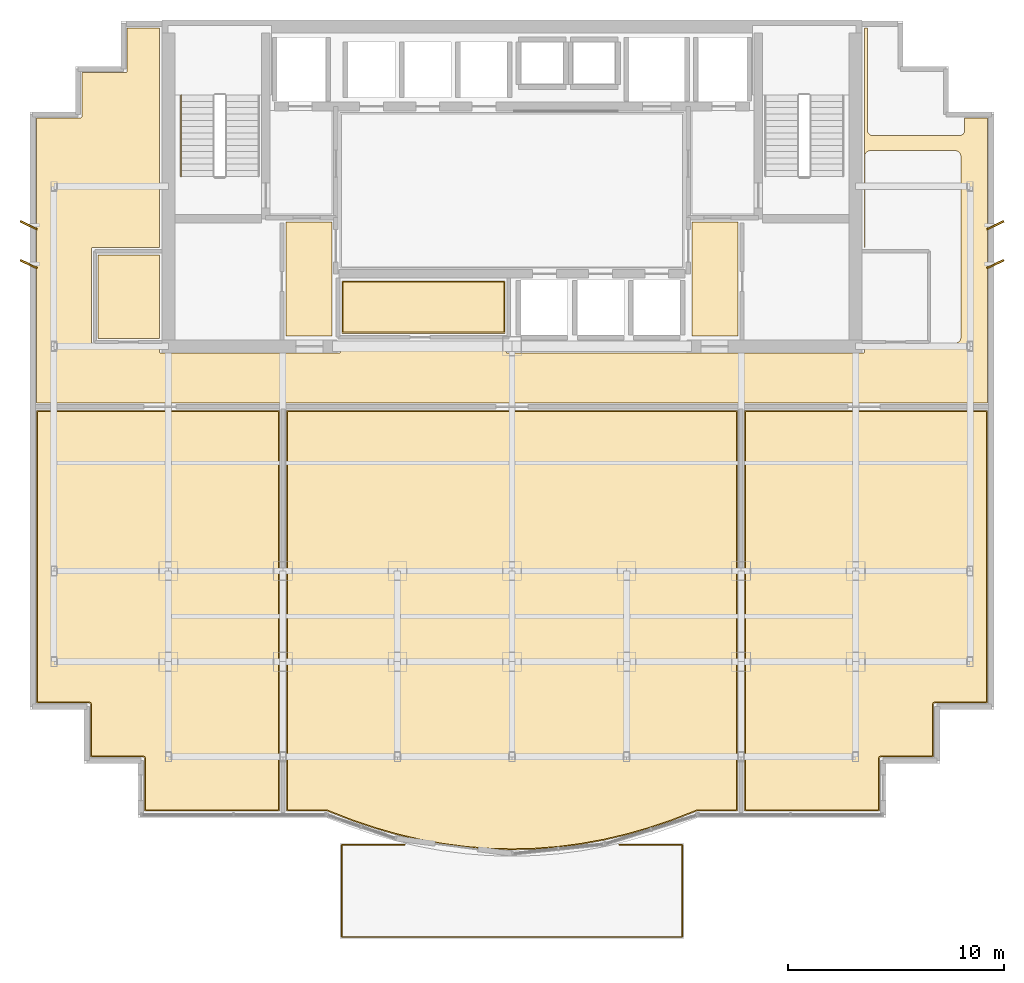
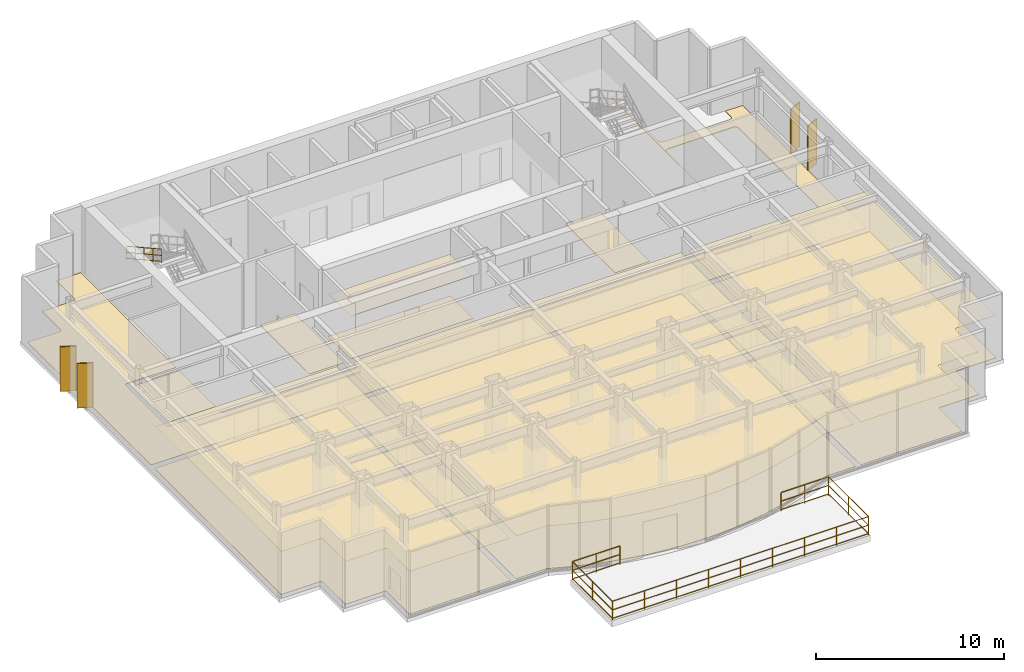
# One storey, part 8 of 9: 12 coverings, 4 shading devices, 2 railings.
"""IFC4 building model written with IfcOpenShell, lengths in metres."""

from ifc_helpers import new_model, si_unit, direction, frame, origin, origin_2d, place, context, subcontext, project, spatial, polyline, rectangle, circle, outline, extrude, source, transform, mapped, material, layer, layer_set, type_object, element, save


model = new_model("IFC4")

# Units and contexts
model_context = context("Model", 3, precision=1e-05, world=origin(), true_north=direction((0.0, 1.0)))
body_context = subcontext(model_context, "Body", "Model", "MODEL_VIEW")
ifc_project = project(units=[si_unit("LENGTHUNIT", "METRE"), si_unit("AREAUNIT", "SQUARE_METRE"), si_unit("VOLUMEUNIT", "CUBIC_METRE"), si_unit("PLANEANGLEUNIT", "RADIAN"), si_unit("MASSUNIT", "GRAM", prefix="KILO")], contexts=[model_context])

# Site, building, storey
site_placement = place(None, origin())
site = spatial("IfcSite", under=ifc_project, at=site_placement, CompositionType="ELEMENT")
building_placement = place(site_placement, origin())
building = spatial("IfcBuilding", under=site, at=building_placement, Name="Qianlan Lanfeng Residences", CompositionType="ELEMENT")
storey_placement = place(building_placement, frame((0.0, 0.0, 134.699951171875)))
storey = spatial("IfcBuildingStorey", under=building, at=storey_placement, Name="L36", CompositionType="ELEMENT", Elevation=134.699951171875)

# Coverings
ifc_material_1 = material(Name="Acoustic Perforated Gypsum Ceiling Board")
ifc_layer_1 = layer(ifc_material_1, 0.02001953125)
ifc_layer_set_1 = layer_set([ifc_layer_1], Name="Acoustic Perforated Gypsum Ceiling Board")
covering_type_1 = type_object("IfcCoveringType", Name="CLG-GYP-15", PredefinedType="CEILING", material=ifc_layer_set_1)
covering_1_placement = place(storey_placement, frame((0.0, 0.0, 2.75)))
element("IfcCovering", 1, at=covering_1_placement, inside=storey, type_object=covering_type_1, Name="L36 Resident Reading Lounge Suspended Ceiling", PredefinedType="CEILING", context=body_context, shape_type="SweptSolid", body=[
    extrude(outline(polyline([(18.679931640625, 25.85009765625), (26.1201171875, 25.85009765625), (26.1201171875, 28.179931640625), (18.679931640625, 28.179931640625), (18.679931640625, 25.85009765625)])), origin(), (0.0, 0.0, 1.0), 0.02001953125),
])
covering_2_placement = place(storey_placement, frame((0.0, 0.0, 2.75)))
element("IfcCovering", 2, at=covering_2_placement, inside=storey, type_object=covering_type_1, Name="L36 Poolside Changing and Shower Room Suspended Ceiling", PredefinedType="CEILING", context=body_context, shape_type="SweptSolid", body=[
    extrude(outline(polyline([(15.68994140625, 22.169921875), (4.5400390625, 22.169921875), (4.5400390625, 8.739990234375), (6.919921875, 8.739990234375), (6.931884765625, 8.739013671875), (6.943115234375, 8.738037109375), (6.955078125, 8.735107421875), (6.966064453125, 8.73095703125), (6.97705078125, 8.72607421875), (6.987060546875, 8.719970703125), (6.99609375, 8.712890625), (7.0048828125, 8.705078125), (7.012939453125, 8.696044921875), (7.02001953125, 8.68701171875), (7.02587890625, 8.677001953125), (7.031005859375, 8.666015625), (7.034912109375, 8.655029296875), (7.0380859375, 8.64306640625), (7.0390625, 8.632080078125), (7.0400390625, 8.6201171875), (7.0400390625, 6.239990234375), (9.419921875, 6.239990234375), (9.431884765625, 6.239013671875), (9.443115234375, 6.238037109375), (9.455078125, 6.235107421875), (9.466064453125, 6.23095703125), (9.47705078125, 6.22607421875), (9.487060546875, 6.219970703125), (9.49609375, 6.212890625), (9.5048828125, 6.205078125), (9.512939453125, 6.196044921875), (9.52001953125, 6.18701171875), (9.52587890625, 6.177001953125), (9.531005859375, 6.166015625), (9.534912109375, 6.155029296875), (9.5380859375, 6.14306640625), (9.5390625, 6.132080078125), (9.5400390625, 6.1201171875), (9.5400390625, 3.739990234375), (15.68994140625, 3.739990234375), (15.68994140625, 22.169921875)])), origin(), (0.0, 0.0, 1.0), 0.02001953125),
])
covering_3_placement = place(storey_placement, frame((0.0, 0.0, 2.75)))
element("IfcCovering", 3, at=covering_3_placement, inside=storey, type_object=covering_type_1, Name="L36 Sky Pool Lounge Suspended Ceiling", PredefinedType="CEILING", context=body_context, shape_type="SweptSolid", body=[
    extrude(outline(polyline([(16.110107421875, 22.169921875), (16.110107421875, 3.739990234375), (17.922119140625, 3.739990234375), (17.93310546875, 3.739013671875), (17.944091796875, 3.738037109375), (17.955078125, 3.735107421875), (17.965087890625, 3.73193359375), (19.073974609375, 3.297119140625), (20.136962890625, 2.93701171875), (21.197998046875, 2.632080078125), (22.259033203125, 2.383056640625), (23.320068359375, 2.18896484375), (24.3798828125, 2.051025390625), (25.43994140625, 1.968017578125), (26.5, 1.93994140625), (27.56005859375, 1.968017578125), (28.6201171875, 2.050048828125), (29.678955078125, 2.18896484375), (30.740966796875, 2.383056640625), (31.801025390625, 2.632080078125), (32.863037109375, 2.93701171875), (33.925048828125, 3.297119140625), (35.034912109375, 3.73193359375), (35.044921875, 3.735107421875), (35.055908203125, 3.738037109375), (35.06689453125, 3.739013671875), (35.077880859375, 3.739990234375), (36.889892578125, 3.739990234375), (36.889892578125, 22.169921875), (16.110107421875, 22.169921875)])), origin(), (0.0, 0.0, 1.0), 0.02001953125),
])
covering_4_placement = place(storey_placement, frame((0.0, 0.0, 2.75)))
element("IfcCovering", 4, at=covering_4_placement, inside=storey, type_object=covering_type_1, Name="L36 Fitness Gymnasium Suspended Ceiling", PredefinedType="CEILING", context=body_context, shape_type="SweptSolid", body=[
    extrude(outline(polyline([(37.31005859375, 22.169921875), (37.31005859375, 3.739990234375), (43.4599609375, 3.739990234375), (43.4599609375, 6.1201171875), (43.4609375, 6.132080078125), (43.4619140625, 6.14306640625), (43.465087890625, 6.155029296875), (43.468994140625, 6.166015625), (43.47412109375, 6.177001953125), (43.47998046875, 6.18701171875), (43.487060546875, 6.196044921875), (43.4951171875, 6.205078125), (43.50390625, 6.212890625), (43.512939453125, 6.219970703125), (43.52294921875, 6.22607421875), (43.533935546875, 6.23095703125), (43.544921875, 6.235107421875), (43.556884765625, 6.238037109375), (43.568115234375, 6.239013671875), (43.580078125, 6.239990234375), (45.9599609375, 6.239990234375), (45.9599609375, 8.6201171875), (45.9609375, 8.632080078125), (45.9619140625, 8.64306640625), (45.965087890625, 8.655029296875), (45.968994140625, 8.666015625), (45.97412109375, 8.677001953125), (45.97998046875, 8.68701171875), (45.987060546875, 8.696044921875), (45.9951171875, 8.705078125), (46.00390625, 8.712890625), (46.012939453125, 8.719970703125), (46.02294921875, 8.72607421875), (46.033935546875, 8.73095703125), (46.044921875, 8.735107421875), (46.056884765625, 8.738037109375), (46.068115234375, 8.739013671875), (46.080078125, 8.739990234375), (48.4599609375, 8.739990234375), (48.4599609375, 22.169921875), (37.31005859375, 22.169921875)])), origin(), (0.0, 0.0, 1.0), 0.02001953125),
])
ifc_material_2 = material(Name="Honed Taitung Granite Stone Flooring", Category="masonry")
ifc_layer_2 = layer(ifc_material_2, 0.030029296875)
ifc_layer_set_2 = layer_set([ifc_layer_2], Name="Honed Taitung Granite Stone Flooring")
covering_type_2 = type_object("IfcCoveringType", Name="FLR-STN-30", PredefinedType="FLOORING", material=ifc_layer_set_2)
covering_5_placement = place(storey_placement, origin())
element("IfcCovering", 5, at=covering_5_placement, inside=storey, type_object=covering_type_2, Name="L36 Sky Pool Lounge Floor Finish", PredefinedType="FLOORING", context=body_context, shape_type="SweptSolid", body=[
    extrude(outline(polyline([(16.06005859375, 22.219970703125), (16.06005859375, 3.68994140625), (17.922119140625, 3.68994140625), (17.927978515625, 3.68994140625), (17.93505859375, 3.68896484375), (17.94091796875, 3.68701171875), (17.947021484375, 3.68505859375), (19.056884765625, 3.25), (20.1220703125, 2.888916015625), (21.18505859375, 2.583984375), (22.2490234375, 2.333984375), (23.31201171875, 2.139892578125), (24.375, 2.001953125), (25.43701171875, 1.91796875), (26.5, 1.889892578125), (27.56298828125, 1.91796875), (28.625, 2.0009765625), (29.68701171875, 2.139892578125), (30.7509765625, 2.333984375), (31.81396484375, 2.583984375), (32.8779296875, 2.888916015625), (33.94189453125, 3.25), (35.052978515625, 3.68505859375), (35.05908203125, 3.68701171875), (35.06494140625, 3.68896484375), (35.072021484375, 3.68994140625), (35.077880859375, 3.68994140625), (36.93994140625, 3.68994140625), (36.93994140625, 22.219970703125), (16.06005859375, 22.219970703125)])), origin(), (0.0, 0.0, 1.0), 0.030029296875),
])
covering_6_placement = place(storey_placement, origin())
element("IfcCovering", 6, at=covering_6_placement, inside=storey, type_object=covering_type_2, Name="L36 Sky Transfer Lobby Floor Finish", PredefinedType="FLOORING", context=body_context, shape_type="SweptSolid", body=[
    extrude(outline(polyline([(47.449951171875, 35.760009765625), (47.449951171875, 35.199951171875), (47.448974609375, 35.175048828125), (47.445068359375, 35.15087890625), (47.43896484375, 35.126953125), (47.430908203125, 35.10400390625), (47.419921875, 35.08203125), (47.407958984375, 35.06103515625), (47.39306640625, 35.041015625), (47.376953125, 35.02294921875), (47.35888671875, 35.007080078125), (47.339111328125, 34.991943359375), (47.318115234375, 34.97998046875), (47.2958984375, 34.968994140625), (47.27294921875, 34.9609375), (47.2490234375, 34.955078125), (47.22509765625, 34.950927734375), (47.199951171875, 34.949951171875), (43.199951171875, 34.949951171875), (43.175048828125, 34.950927734375), (43.15087890625, 34.955078125), (43.126953125, 34.9609375), (43.10400390625, 34.968994140625), (43.08203125, 34.97998046875), (43.06103515625, 34.991943359375), (43.041015625, 35.007080078125), (43.02294921875, 35.02294921875), (43.007080078125, 35.041015625), (42.991943359375, 35.06103515625), (42.97998046875, 35.08203125), (42.968994140625, 35.10400390625), (42.9609375, 35.126953125), (42.955078125, 35.15087890625), (42.950927734375, 35.175048828125), (42.949951171875, 35.199951171875), (42.949951171875, 39.929931640625), (42.820068359375, 39.929931640625), (42.820068359375, 29.77001953125), (42.830078125, 29.77001953125), (42.830078125, 34.0), (42.8310546875, 34.02490234375), (42.8349609375, 34.049072265625), (42.841064453125, 34.072998046875), (42.84912109375, 34.095947265625), (42.860107421875, 34.117919921875), (42.8720703125, 34.138916015625), (42.886962890625, 34.158935546875), (42.903076171875, 34.177001953125), (42.9208984375, 34.193115234375), (42.94091796875, 34.2080078125), (42.9619140625, 34.219970703125), (42.98388671875, 34.23095703125), (43.007080078125, 34.239013671875), (43.031005859375, 34.2451171875), (43.054931640625, 34.2490234375), (43.080078125, 34.25), (47.02001953125, 34.25), (47.044921875, 34.2490234375), (47.069091796875, 34.2451171875), (47.093017578125, 34.239013671875), (47.115966796875, 34.23095703125), (47.137939453125, 34.219970703125), (47.158935546875, 34.2080078125), (47.178955078125, 34.193115234375), (47.197021484375, 34.177001953125), (47.212890625, 34.158935546875), (47.22802734375, 34.138916015625), (47.239990234375, 34.117919921875), (47.2509765625, 34.095947265625), (47.259033203125, 34.072998046875), (47.264892578125, 34.049072265625), (47.26904296875, 34.02490234375), (47.27001953125, 34.0), (47.27001953125, 25.60009765625), (47.26904296875, 25.574951171875), (47.264892578125, 25.551025390625), (47.259033203125, 25.527099609375), (47.2509765625, 25.50390625), (47.239990234375, 25.48193359375), (47.22802734375, 25.4609375), (47.212890625, 25.44091796875), (47.197021484375, 25.423095703125), (47.178955078125, 25.406982421875), (47.158935546875, 25.39208984375), (47.137939453125, 25.3798828125), (47.115966796875, 25.368896484375), (47.093017578125, 25.361083984375), (47.069091796875, 25.35498046875), (47.044921875, 25.35107421875), (47.02001953125, 25.35009765625), (45.969970703125, 25.35009765625), (45.969970703125, 25.300048828125), (45.969970703125, 25.29296875), (45.968994140625, 25.285888671875), (45.967041015625, 25.280029296875), (45.965087890625, 25.27294921875), (45.9619140625, 25.26708984375), (45.9580078125, 25.260986328125), (45.9541015625, 25.256103515625), (45.948974609375, 25.2509765625), (45.944091796875, 25.24609375), (45.93896484375, 25.241943359375), (45.93310546875, 25.238037109375), (45.927001953125, 25.235107421875), (45.919921875, 25.23291015625), (45.9140625, 25.23095703125), (45.906982421875, 25.22998046875), (45.89990234375, 25.22998046875), (42.820068359375, 25.22998046875), (42.820068359375, 24.949951171875), (42.820068359375, 24.943115234375), (42.819091796875, 24.93603515625), (42.81689453125, 24.929931640625), (42.81494140625, 24.923095703125), (42.81201171875, 24.9169921875), (42.80810546875, 24.910888671875), (42.803955078125, 24.906005859375), (42.799072265625, 24.90087890625), (42.7939453125, 24.89599609375), (42.7890625, 24.89208984375), (42.782958984375, 24.887939453125), (42.777099609375, 24.885009765625), (42.77001953125, 24.883056640625), (42.763916015625, 24.881103515625), (42.757080078125, 24.8798828125), (42.75, 24.8798828125), (26.300048828125, 24.8798828125), (26.29296875, 24.8798828125), (26.285888671875, 24.881103515625), (26.280029296875, 24.883056640625), (26.27294921875, 24.885009765625), (26.26708984375, 24.887939453125), (26.260986328125, 24.89208984375), (26.256103515625, 24.89599609375), (26.2509765625, 24.90087890625), (26.24609375, 24.906005859375), (26.241943359375, 24.910888671875), (26.238037109375, 24.9169921875), (26.235107421875, 24.923095703125), (26.23291015625, 24.929931640625), (26.23095703125, 24.93603515625), (26.22998046875, 24.943115234375), (26.22998046875, 24.949951171875), (26.22998046875, 25.429931640625), (18.570068359375, 25.429931640625), (18.570068359375, 24.949951171875), (18.570068359375, 24.943115234375), (18.569091796875, 24.93603515625), (18.56689453125, 24.929931640625), (18.56494140625, 24.923095703125), (18.56201171875, 24.9169921875), (18.55810546875, 24.910888671875), (18.553955078125, 24.906005859375), (18.549072265625, 24.90087890625), (18.5439453125, 24.89599609375), (18.5390625, 24.89208984375), (18.532958984375, 24.887939453125), (18.527099609375, 24.885009765625), (18.52001953125, 24.883056640625), (18.513916015625, 24.881103515625), (18.507080078125, 24.8798828125), (18.5, 24.8798828125), (10.25, 24.8798828125), (10.242919921875, 24.8798828125), (10.236083984375, 24.881103515625), (10.22998046875, 24.883056640625), (10.222900390625, 24.885009765625), (10.217041015625, 24.887939453125), (10.2109375, 24.89208984375), (10.2060546875, 24.89599609375), (10.200927734375, 24.90087890625), (10.196044921875, 24.906005859375), (10.19189453125, 24.910888671875), (10.18798828125, 24.9169921875), (10.18505859375, 24.923095703125), (10.18310546875, 24.929931640625), (10.180908203125, 24.93603515625), (10.179931640625, 24.943115234375), (10.179931640625, 24.949951171875), (10.179931640625, 25.22998046875), (7.10009765625, 25.22998046875), (7.093017578125, 25.22998046875), (7.0859375, 25.23095703125), (7.080078125, 25.23291015625), (7.072998046875, 25.235107421875), (7.06689453125, 25.238037109375), (7.06103515625, 25.241943359375), (7.055908203125, 25.24609375), (7.051025390625, 25.2509765625), (7.0458984375, 25.256103515625), (7.0419921875, 25.260986328125), (7.0380859375, 25.26708984375), (7.034912109375, 25.27294921875), (7.032958984375, 25.280029296875), (7.031005859375, 25.285888671875), (7.030029296875, 25.29296875), (7.030029296875, 25.300048828125), (7.030029296875, 29.699951171875), (7.030029296875, 29.70703125), (7.031005859375, 29.714111328125), (7.032958984375, 29.719970703125), (7.034912109375, 29.72705078125), (7.0380859375, 29.73291015625), (7.0419921875, 29.739013671875), (7.0458984375, 29.743896484375), (7.051025390625, 29.7490234375), (7.055908203125, 29.75390625), (7.06103515625, 29.758056640625), (7.06689453125, 29.761962890625), (7.072998046875, 29.764892578125), (7.080078125, 29.76708984375), (7.0859375, 29.76904296875), (7.093017578125, 29.77001953125), (7.10009765625, 29.77001953125), (10.179931640625, 29.77001953125), (10.179931640625, 39.929931640625), (8.68994140625, 39.929931640625), (8.68994140625, 37.929931640625), (8.68994140625, 37.923095703125), (8.68896484375, 37.916015625), (8.68701171875, 37.909912109375), (8.68505859375, 37.903076171875), (8.681884765625, 37.89697265625), (8.677978515625, 37.89111328125), (8.674072265625, 37.885986328125), (8.6689453125, 37.881103515625), (8.6640625, 37.8759765625), (8.658935546875, 37.8720703125), (8.653076171875, 37.867919921875), (8.64697265625, 37.864990234375), (8.639892578125, 37.863037109375), (8.634033203125, 37.861083984375), (8.626953125, 37.860107421875), (8.6201171875, 37.860107421875), (6.590087890625, 37.860107421875), (6.590087890625, 35.830078125), (6.590087890625, 35.822998046875), (6.589111328125, 35.81591796875), (6.5869140625, 35.81005859375), (6.5849609375, 35.802978515625), (6.58203125, 35.797119140625), (6.577880859375, 35.791015625), (6.573974609375, 35.785888671875), (6.569091796875, 35.781005859375), (6.56396484375, 35.77587890625), (6.55908203125, 35.77197265625), (6.552978515625, 35.76806640625), (6.547119140625, 35.764892578125), (6.5400390625, 35.762939453125), (6.533935546875, 35.760986328125), (6.527099609375, 35.760009765625), (6.52001953125, 35.760009765625), (4.489990234375, 35.760009765625), (4.489990234375, 22.580078125), (48.510009765625, 22.580078125), (48.510009765625, 35.760009765625), (47.449951171875, 35.760009765625)])), origin(), (0.0, 0.0, 1.0), 0.030029296875),
])
covering_7_placement = place(storey_placement, origin())
element("IfcCovering", 7, at=covering_7_placement, inside=storey, type_object=covering_type_2, Name="L36 Lift Lobby Floor Finish", PredefinedType="FLOORING", context=body_context, shape_type="SweptSolid", body=[
    extrude(outline(polyline([(16.030029296875, 25.669921875), (18.169921875, 25.669921875), (18.169921875, 30.949951171875), (16.030029296875, 30.949951171875), (16.030029296875, 25.669921875)])), origin(), (0.0, 0.0, 1.0), 0.030029296875),
])
covering_8_placement = place(storey_placement, origin())
element("IfcCovering", 8, at=covering_8_placement, inside=storey, type_object=covering_type_2, Name="L36 Lift Lobby Floor Finish", PredefinedType="FLOORING", context=body_context, shape_type="SweptSolid", body=[
    extrude(outline(polyline([(34.830078125, 25.669921875), (36.969970703125, 25.669921875), (36.969970703125, 30.949951171875), (34.830078125, 30.949951171875), (34.830078125, 25.669921875)])), origin(), (0.0, 0.0, 1.0), 0.030029296875),
])
ifc_material_3 = material(Name="Slip-Resistant Porcelain Tile Flooring")
ifc_layer_3 = layer(ifc_material_3, 0.02001953125)
ifc_layer_set_3 = layer_set([ifc_layer_3], Name="Slip-Resistant Porcelain Tile Flooring")
covering_type_3 = type_object("IfcCoveringType", Name="FLR-TIL-20", PredefinedType="FLOORING", material=ifc_layer_set_3)
covering_9_placement = place(storey_placement, origin())
element("IfcCovering", 9, at=covering_9_placement, inside=storey, type_object=covering_type_3, Name="L36 Public Restroom Floor Finish", PredefinedType="FLOORING", context=body_context, shape_type="SweptSolid", body=[
    extrude(outline(polyline([(7.35009765625, 25.570068359375), (10.18994140625, 25.570068359375), (10.18994140625, 29.429931640625), (7.35009765625, 29.429931640625), (7.35009765625, 25.570068359375)])), origin(), (0.0, 0.0, 1.0), 0.02001953125),
])
ifc_material_4 = material(Name="Engineered Smoked Oak Timber Flooring", Category="wood")
ifc_layer_4 = layer(ifc_material_4, 0.02197265625)
ifc_layer_set_4 = layer_set([ifc_layer_4], Name="Engineered Smoked Oak Timber Flooring")
covering_type_4 = type_object("IfcCoveringType", Name="FLR-TIM-22", PredefinedType="FLOORING", material=ifc_layer_set_4)
covering_10_placement = place(storey_placement, origin())
element("IfcCovering", 10, at=covering_10_placement, inside=storey, type_object=covering_type_4, Name="L36 Resident Reading Lounge Floor Finish", PredefinedType="FLOORING", context=body_context, shape_type="SweptSolid", body=[
    extrude(outline(polyline([(18.6298828125, 25.800048828125), (26.169921875, 25.800048828125), (26.169921875, 28.22998046875), (18.6298828125, 28.22998046875), (18.6298828125, 25.800048828125)])), origin(), (0.0, 0.0, 1.0), 0.02197265625),
])
covering_11_placement = place(storey_placement, origin())
element("IfcCovering", 11, at=covering_11_placement, inside=storey, type_object=covering_type_4, Name="L36 Poolside Changing and Shower Room Floor Finish", PredefinedType="FLOORING", context=body_context, shape_type="SweptSolid", body=[
    extrude(outline(polyline([(15.739990234375, 22.219970703125), (4.489990234375, 22.219970703125), (4.489990234375, 8.68994140625), (6.919921875, 8.68994140625), (6.927001953125, 8.68994140625), (6.93408203125, 8.68896484375), (6.93994140625, 8.68701171875), (6.947021484375, 8.68505859375), (6.952880859375, 8.681884765625), (6.958984375, 8.677978515625), (6.964111328125, 8.674072265625), (6.968994140625, 8.6689453125), (6.97412109375, 8.6640625), (6.97802734375, 8.658935546875), (6.98193359375, 8.653076171875), (6.985107421875, 8.64697265625), (6.987060546875, 8.639892578125), (6.989013671875, 8.634033203125), (6.989990234375, 8.626953125), (6.989990234375, 8.6201171875), (6.989990234375, 6.18994140625), (9.419921875, 6.18994140625), (9.427001953125, 6.18994140625), (9.43408203125, 6.18896484375), (9.43994140625, 6.18701171875), (9.447021484375, 6.18505859375), (9.452880859375, 6.181884765625), (9.458984375, 6.177978515625), (9.464111328125, 6.174072265625), (9.468994140625, 6.1689453125), (9.47412109375, 6.1640625), (9.47802734375, 6.158935546875), (9.48193359375, 6.153076171875), (9.485107421875, 6.14697265625), (9.487060546875, 6.139892578125), (9.489013671875, 6.134033203125), (9.489990234375, 6.126953125), (9.489990234375, 6.1201171875), (9.489990234375, 3.68994140625), (15.739990234375, 3.68994140625), (15.739990234375, 22.219970703125)])), origin(), (0.0, 0.0, 1.0), 0.02197265625),
])
covering_12_placement = place(storey_placement, origin())
element("IfcCovering", 12, at=covering_12_placement, inside=storey, type_object=covering_type_4, Name="L36 Fitness Gymnasium Floor Finish", PredefinedType="FLOORING", context=body_context, shape_type="SweptSolid", body=[
    extrude(outline(polyline([(37.260009765625, 22.219970703125), (37.260009765625, 3.68994140625), (43.510009765625, 3.68994140625), (43.510009765625, 6.1201171875), (43.510009765625, 6.126953125), (43.510986328125, 6.134033203125), (43.512939453125, 6.139892578125), (43.514892578125, 6.14697265625), (43.51806640625, 6.153076171875), (43.52197265625, 6.158935546875), (43.52587890625, 6.1640625), (43.531005859375, 6.1689453125), (43.535888671875, 6.174072265625), (43.541015625, 6.177978515625), (43.547119140625, 6.181884765625), (43.552978515625, 6.18505859375), (43.56005859375, 6.18701171875), (43.56591796875, 6.18896484375), (43.572998046875, 6.18994140625), (43.580078125, 6.18994140625), (46.010009765625, 6.18994140625), (46.010009765625, 8.6201171875), (46.010009765625, 8.626953125), (46.010986328125, 8.634033203125), (46.012939453125, 8.639892578125), (46.014892578125, 8.64697265625), (46.01806640625, 8.653076171875), (46.02197265625, 8.658935546875), (46.02587890625, 8.6640625), (46.031005859375, 8.6689453125), (46.035888671875, 8.674072265625), (46.041015625, 8.677978515625), (46.047119140625, 8.681884765625), (46.052978515625, 8.68505859375), (46.06005859375, 8.68701171875), (46.06591796875, 8.68896484375), (46.072998046875, 8.68994140625), (46.080078125, 8.68994140625), (48.510009765625, 8.68994140625), (48.510009765625, 22.219970703125), (37.260009765625, 22.219970703125)])), origin(), (0.0, 0.0, 1.0), 0.02197265625),
])

# Railings
ifc_material_5 = material(Name="Anodised Bronze Aluminium and Laminated Glass Guard Balustrade", Category="aluminium")
railing_type_1 = type_object("IfcRailingType", Name="GR-EXT-1220", PredefinedType="BALUSTRADE", material=ifc_material_5)
railing_1_placement = place(storey_placement, frame((31.45703125, 2.1298828125, 0.0)))
element("IfcRailing", 13, at=railing_1_placement, inside=storey, type_object=railing_type_1, Name="L36 Terrace Safety Guard GR-L36-POOL", PredefinedType="BALUSTRADE", context=body_context, shape_type="SweptSolid", body=[
    extrude(circle(Radius=0.02490234375, at=origin_2d()), frame((0.0, 0.0, 0.0849609375), z_axis=(1.0, 0.0, 0.0), x_axis=(0.0, 1.0, 0.0)), (0.0, 0.0, 1.0), 2.9228515625),
    extrude(circle(Radius=0.02490234375, at=origin_2d()), frame((0.0, 0.0, 0.63427734375), z_axis=(1.0, 0.0, 0.0), x_axis=(0.0, 1.0, 0.0)), (0.0, 0.0, 1.0), 2.9228515625),
    extrude(circle(Radius=0.02490234375, at=origin_2d()), frame((0.0, 0.0, 1.19482421875), z_axis=(1.0, 0.0, 0.0), x_axis=(0.0, 1.0, 0.0)), (0.0, 0.0, 1.0), 2.9228515625),
    extrude(circle(Radius=0.02490234375, at=origin_2d()), frame((2.9228515625, 0.0, 0.0849609375), z_axis=(0.0, -1.0, 0.0), x_axis=(1.0, 0.0, 0.0)), (0.0, 0.0, 1.0), 4.259765625),
    extrude(circle(Radius=0.02490234375, at=origin_2d()), frame((2.9228515625, 0.0, 0.63427734375), z_axis=(0.0, -1.0, 0.0), x_axis=(1.0, 0.0, 0.0)), (0.0, 0.0, 1.0), 4.259765625),
    extrude(circle(Radius=0.02490234375, at=origin_2d()), frame((2.9228515625, 0.0, 1.19482421875), z_axis=(0.0, -1.0, 0.0), x_axis=(1.0, 0.0, 0.0)), (0.0, 0.0, 1.0), 4.259765625),
    extrude(circle(Radius=0.02490234375, at=origin_2d()), frame((2.9228515625, -4.259765625, 0.0849609375), z_axis=(-1.0, 0.0, 0.0), x_axis=(0.0, -1.0, 0.0)), (0.0, 0.0, 1.0), 15.759765625),
    extrude(circle(Radius=0.02490234375, at=origin_2d()), frame((2.9228515625, -4.259765625, 0.63427734375), z_axis=(-1.0, 0.0, 0.0), x_axis=(0.0, -1.0, 0.0)), (0.0, 0.0, 1.0), 15.759765625),
    extrude(circle(Radius=0.02490234375, at=origin_2d()), frame((2.9228515625, -4.259765625, 1.19482421875), z_axis=(-1.0, 0.0, 0.0), x_axis=(0.0, -1.0, 0.0)), (0.0, 0.0, 1.0), 15.759765625),
    extrude(circle(Radius=0.02490234375, at=origin_2d()), frame((-12.8369140625, -4.259765625, 0.0849609375), z_axis=(0.0, 1.0, 0.0), x_axis=(-1.0, 0.0, 0.0)), (0.0, 0.0, 1.0), 4.259765625),
    extrude(circle(Radius=0.02490234375, at=origin_2d()), frame((-12.8369140625, -4.259765625, 0.63427734375), z_axis=(0.0, 1.0, 0.0), x_axis=(-1.0, 0.0, 0.0)), (0.0, 0.0, 1.0), 4.259765625),
    extrude(circle(Radius=0.02490234375, at=origin_2d()), frame((-12.8369140625, -4.259765625, 1.19482421875), z_axis=(0.0, 1.0, 0.0), x_axis=(-1.0, 0.0, 0.0)), (0.0, 0.0, 1.0), 4.259765625),
    extrude(circle(Radius=0.02490234375, at=origin_2d()), frame((-12.8369140625, 0.0, 0.0849609375), z_axis=(1.0, 0.0, 0.0), x_axis=(0.0, 1.0, 0.0)), (0.0, 0.0, 1.0), 2.9228515625),
    extrude(circle(Radius=0.02490234375, at=origin_2d()), frame((-12.8369140625, 0.0, 0.63427734375), z_axis=(1.0, 0.0, 0.0), x_axis=(0.0, 1.0, 0.0)), (0.0, 0.0, 1.0), 2.9228515625),
    extrude(circle(Radius=0.02490234375, at=origin_2d()), frame((-12.8369140625, 0.0, 1.19482421875), z_axis=(1.0, 0.0, 0.0), x_axis=(0.0, 1.0, 0.0)), (0.0, 0.0, 1.0), 2.9228515625),
    extrude(circle(Radius=0.02099609375, at=origin_2d()), origin(), (0.0, 0.0, 1.0), 1.169921875),
    extrude(circle(Radius=0.02099609375, at=origin_2d()), frame((1.46142578125, 0.0, 0.0)), (0.0, 0.0, 1.0), 1.169921875),
    extrude(circle(Radius=0.02099609375, at=origin_2d()), frame((2.9228515625, 0.0, 0.0)), (0.0, 0.0, 1.0), 1.169921875),
    extrude(circle(Radius=0.02099609375, at=origin_2d()), frame((2.9228515625, -2.1298828125, 0.0)), (0.0, 0.0, 1.0), 1.169921875),
    extrude(circle(Radius=0.02099609375, at=origin_2d()), frame((2.9228515625, -4.259765625, 0.0)), (0.0, 0.0, 1.0), 1.169921875),
    extrude(circle(Radius=0.02099609375, at=origin_2d()), frame((0.952880859375, -4.259765625, 0.0)), (0.0, 0.0, 1.0), 1.169921875),
    extrude(circle(Radius=0.02099609375, at=origin_2d()), frame((-1.01708984375, -4.259765625, 0.0)), (0.0, 0.0, 1.0), 1.169921875),
    extrude(circle(Radius=0.02099609375, at=origin_2d()), frame((-2.987060546875, -4.259765625, 0.0)), (0.0, 0.0, 1.0), 1.169921875),
    extrude(circle(Radius=0.02099609375, at=origin_2d()), frame((-4.95703125, -4.259765625, 0.0)), (0.0, 0.0, 1.0), 1.169921875),
    extrude(circle(Radius=0.02099609375, at=origin_2d()), frame((-6.927001953125, -4.259765625, 0.0)), (0.0, 0.0, 1.0), 1.169921875),
    extrude(circle(Radius=0.02099609375, at=origin_2d()), frame((-8.89697265625, -4.259765625, 0.0)), (0.0, 0.0, 1.0), 1.169921875),
    extrude(circle(Radius=0.02099609375, at=origin_2d()), frame((-10.866943359375, -4.259765625, 0.0)), (0.0, 0.0, 1.0), 1.169921875),
    extrude(circle(Radius=0.02099609375, at=origin_2d()), frame((-12.8369140625, -4.259765625, 0.0)), (0.0, 0.0, 1.0), 1.169921875),
    extrude(circle(Radius=0.02099609375, at=origin_2d()), frame((-12.8369140625, -2.1298828125, 0.0)), (0.0, 0.0, 1.0), 1.169921875),
    extrude(circle(Radius=0.02099609375, at=origin_2d()), frame((-12.8369140625, 0.0, 0.0)), (0.0, 0.0, 1.0), 1.169921875),
    extrude(circle(Radius=0.02099609375, at=origin_2d()), frame((-11.37548828125, 0.0, 0.0)), (0.0, 0.0, 1.0), 1.169921875),
    extrude(circle(Radius=0.02099609375, at=origin_2d()), frame((-9.9140625, 0.0, 0.0)), (0.0, 0.0, 1.0), 1.169921875),
])
ifc_material_6 = material(Name="Brushed Stainless Steel Handrail", Category="steel")
railing_type_2 = type_object("IfcRailingType", Name="HR-ST-920", PredefinedType="HANDRAIL", material=ifc_material_6)
railing_2_placement = place(storey_placement, frame((11.18994140625, 36.820068359375, 2.41064453125)))
element("IfcRailing", 14, at=railing_2_placement, inside=storey, type_object=railing_type_2, Name="L36 ST-1 stair handrail 2", PredefinedType="HANDRAIL", context=body_context, shape_type="SweptSolid", body=[
    extrude(circle(Radius=0.02392578125, at=origin_2d()), frame((0.0, 0.0, 0.083984375), z_axis=(0.0, -0.874659101714, 0.484738543742), x_axis=(1.0, 0.0, 0.0)), (0.0, 0.0, 1.0), 4.310302734375),
    extrude(circle(Radius=0.02392578125, at=origin_2d()), frame((0.0, 0.0, 0.468017578125), z_axis=(0.0, -0.874659101714, 0.484738543742), x_axis=(1.0, 0.0, 0.0)), (0.0, 0.0, 1.0), 4.310302734375),
    extrude(circle(Radius=0.02392578125, at=origin_2d()), frame((0.0, 0.0, 0.8759765625), z_axis=(0.0, -0.874659101714, 0.484738543742), x_axis=(1.0, 0.0, 0.0)), (0.0, 0.0, 1.0), 4.310302734375),
    extrude(circle(Radius=0.02099609375, at=origin_2d()), origin(), (0.0, 0.0, 1.0), 0.851806640625),
    extrude(circle(Radius=0.02099609375, at=origin_2d()), frame((0.0, -0.9423828125, 0.5224609375)), (0.0, 0.0, 1.0), 0.851806640625),
    extrude(circle(Radius=0.02099609375, at=origin_2d()), frame((0.0, -1.885009765625, 1.044677734375)), (0.0, 0.0, 1.0), 0.851806640625),
    extrude(circle(Radius=0.02099609375, at=origin_2d()), frame((0.0, -2.82763671875, 1.56689453125)), (0.0, 0.0, 1.0), 0.851806640625),
    extrude(circle(Radius=0.02099609375, at=origin_2d()), frame((0.0, -3.77001953125, 2.08935546875)), (0.0, 0.0, 1.0), 0.851806640625),
])

# Shading devices
ifc_material_7 = material(Name="Anodised Bronze Aluminium Solar Fin", Category="aluminium")
shading_device_type = type_object("IfcShadingDeviceType", Name="FIN-BRZ-850", PredefinedType="SHUTTER", material=ifc_material_7)
shared_shape = source(origin(), body_context, "Body", "SweptSolid", [
    extrude(rectangle(XDim=0.85009765625, YDim=0.080078125, at=origin_2d()), origin(), (0.0, 0.0, 1.0), 2.89990234375),
])
for number, where, z_axis, x_axis, name in (
    (15, (4.1298828125, 29.0, 0.0), (0.0, 0.0, 1.0), (0.898794046299, -0.438371146789, 0.0), "L36 Raked Bronze Solar Fin W1"),
    (16, (4.1298828125, 30.800048828125, 0.0), (0.0, 0.0, 1.0), (0.898794046299, -0.438371146789, 0.0), "L36 Raked Bronze Solar Fin W2"),
    (17, (48.8701171875, 29.0, 0.0), (0.0, 0.0, 1.0), (0.898794046299, 0.438371146789, 0.0), "L36 Raked Bronze Solar Fin E1"),
    (18, (48.8701171875, 30.800048828125, 0.0), (0.0, 0.0, 1.0), (0.898794046299, 0.438371146789, 0.0), "L36 Raked Bronze Solar Fin E2"),
):
    element("IfcShadingDevice", number, at=place(storey_placement, frame(where, z_axis=z_axis, x_axis=x_axis)), inside=storey, type_object=shading_device_type, Name=name, PredefinedType="SHUTTER", context=body_context, shape_type="MappedRepresentation", body=[
        mapped(shared_shape, transform((0.0, 0.0, 0.0), scale=1.0)),
    ])

save(model, "model.ifc")
